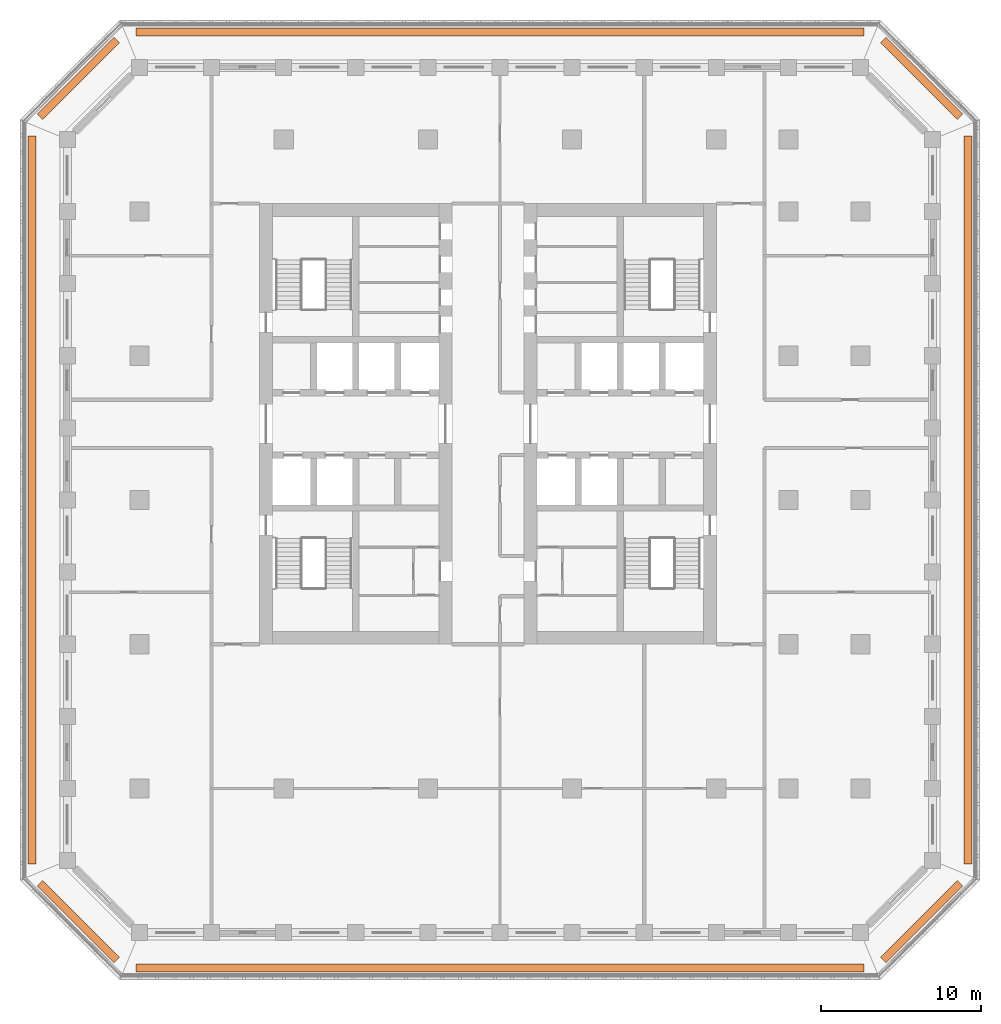
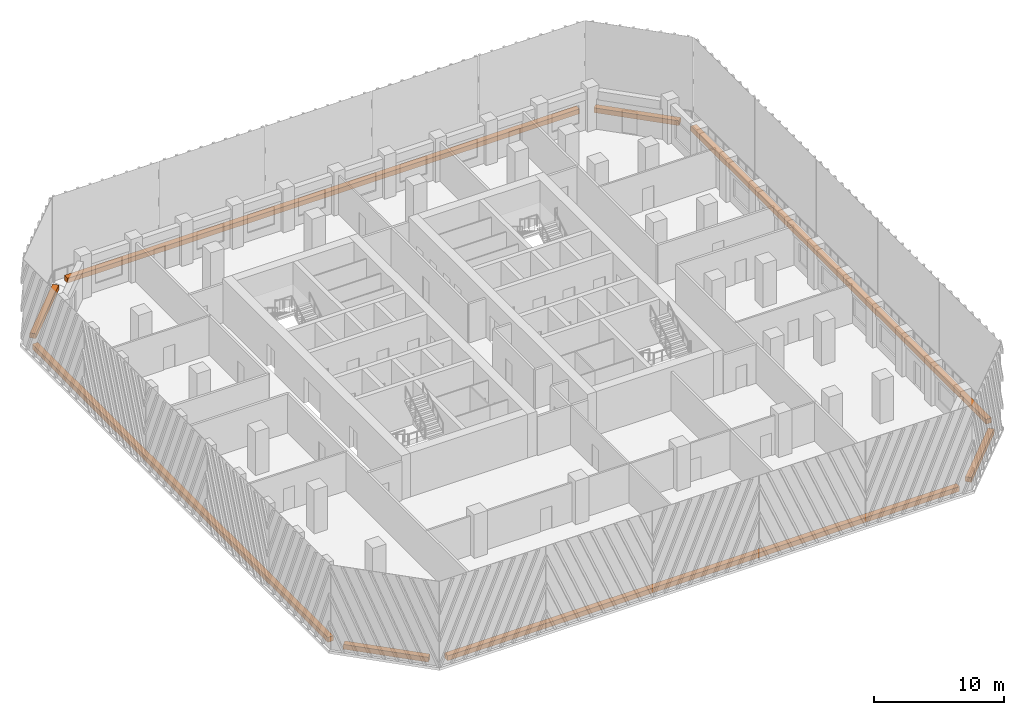
# One storey, part 16 of 16: 8 proxies.
"""IFC4 building model written with IfcOpenShell, lengths in metres."""

from ifc_helpers import new_model, si_unit, direction, frame, origin, origin_2d, place, context, subcontext, project, spatial, rectangle, extrude, material, type_object, element, save


model = new_model("IFC4")

# Units and contexts
model_context = context("Model", 3, precision=1e-05, world=origin(), true_north=direction((0.0, 1.0)))
body_context = subcontext(model_context, "Body", "Model", "MODEL_VIEW")
ifc_project = project(units=[si_unit("LENGTHUNIT", "METRE"), si_unit("AREAUNIT", "SQUARE_METRE"), si_unit("VOLUMEUNIT", "CUBIC_METRE"), si_unit("PLANEANGLEUNIT", "RADIAN"), si_unit("MASSUNIT", "GRAM", prefix="KILO")], contexts=[model_context])

# Site, building, storey
site_placement = place(None, origin())
site = spatial("IfcSite", under=ifc_project, at=site_placement, CompositionType="ELEMENT")
building_placement = place(site_placement, origin())
building = spatial("IfcBuilding", under=site, at=building_placement, Name="Corbel Stack Research Tower", CompositionType="ELEMENT")
storey_placement = place(building_placement, frame((0.0, 0.0, 199.699951171875)))
storey = spatial("IfcBuildingStorey", under=building, at=storey_placement, Name="L45", CompositionType="ELEMENT", Elevation=199.699951171875)

# Proxies
ifc_material = material(Name="Concrete C45/55", Category="concrete")
building_element_proxy_type = type_object("IfcBuildingElementProxyType", Name="Planter box", PredefinedType="USERDEFINED", material=ifc_material)
proxy_1_placement = place(storey_placement, frame((4.5, -29.199951171875, 0.0), z_axis=(0.0, 0.0, 1.0), x_axis=(1.0, 0.0, 0.0)))
element("IfcBuildingElementProxy", 1, at=proxy_1_placement, inside=storey, type_object=building_element_proxy_type, Name="Planter L45 S", ObjectType="PLANTER", PredefinedType="USERDEFINED", context=body_context, shape_type="SweptSolid", body=[
    extrude(rectangle(XDim=45.41064453125, YDim=0.5, at=origin_2d()), origin(), (0.0, 0.0, 1.0), 0.449951171875),
])
proxy_2_placement = place(storey_placement, frame((30.8056640625, -26.3056640625, 0.0), z_axis=(0.0, 0.0, 1.0), x_axis=(0.707106781187, 0.707106781187, 0.0)))
element("IfcBuildingElementProxy", 2, at=proxy_2_placement, inside=storey, type_object=building_element_proxy_type, Name="Planter L45 SE", ObjectType="PLANTER", PredefinedType="USERDEFINED", context=body_context, shape_type="SweptSolid", body=[
    extrude(rectangle(XDim=6.774658203125, YDim=0.5, at=origin_2d()), origin(), (0.0, 0.0, 1.0), 0.449951171875),
])
proxy_3_placement = place(storey_placement, frame((33.699951171875, 0.0, 0.0), z_axis=(0.0, 0.0, 1.0), x_axis=(0.0, 1.0, 0.0)))
element("IfcBuildingElementProxy", 3, at=proxy_3_placement, inside=storey, type_object=building_element_proxy_type, Name="Planter L45 E", ObjectType="PLANTER", PredefinedType="USERDEFINED", context=body_context, shape_type="SweptSolid", body=[
    extrude(rectangle(XDim=45.41064453125, YDim=0.5, at=origin_2d()), origin(), (0.0, 0.0, 1.0), 0.449951171875),
])
proxy_4_placement = place(storey_placement, frame((30.8056640625, 26.3056640625, 0.0), z_axis=(0.0, 0.0, 1.0), x_axis=(-0.707106781187, 0.707106781187, 0.0)))
element("IfcBuildingElementProxy", 4, at=proxy_4_placement, inside=storey, type_object=building_element_proxy_type, Name="Planter L45 NE", ObjectType="PLANTER", PredefinedType="USERDEFINED", context=body_context, shape_type="SweptSolid", body=[
    extrude(rectangle(XDim=6.774658203125, YDim=0.5, at=origin_2d()), origin(), (0.0, 0.0, 1.0), 0.449951171875),
])
proxy_5_placement = place(storey_placement, frame((4.5, 29.199951171875, 0.0), z_axis=(0.0, 0.0, 1.0), x_axis=(-1.0, 0.0, 0.0)))
element("IfcBuildingElementProxy", 5, at=proxy_5_placement, inside=storey, type_object=building_element_proxy_type, Name="Planter L45 N", ObjectType="PLANTER", PredefinedType="USERDEFINED", context=body_context, shape_type="SweptSolid", body=[
    extrude(rectangle(XDim=45.41064453125, YDim=0.5, at=origin_2d()), origin(), (0.0, 0.0, 1.0), 0.449951171875),
])
proxy_6_placement = place(storey_placement, frame((-21.8056640625, 26.3056640625, 0.0), z_axis=(0.0, 0.0, 1.0), x_axis=(-0.707106781187, -0.707106781187, 0.0)))
element("IfcBuildingElementProxy", 6, at=proxy_6_placement, inside=storey, type_object=building_element_proxy_type, Name="Planter L45 NW", ObjectType="PLANTER", PredefinedType="USERDEFINED", context=body_context, shape_type="SweptSolid", body=[
    extrude(rectangle(XDim=6.774658203125, YDim=0.5, at=origin_2d()), origin(), (0.0, 0.0, 1.0), 0.449951171875),
])
proxy_7_placement = place(storey_placement, frame((-24.699951171875, 0.0, 0.0), z_axis=(0.0, 0.0, 1.0), x_axis=(0.0, -1.0, 0.0)))
element("IfcBuildingElementProxy", 7, at=proxy_7_placement, inside=storey, type_object=building_element_proxy_type, Name="Planter L45 W", ObjectType="PLANTER", PredefinedType="USERDEFINED", context=body_context, shape_type="SweptSolid", body=[
    extrude(rectangle(XDim=45.41064453125, YDim=0.5, at=origin_2d()), origin(), (0.0, 0.0, 1.0), 0.449951171875),
])
proxy_8_placement = place(storey_placement, frame((-21.8056640625, -26.3056640625, 0.0), z_axis=(0.0, 0.0, 1.0), x_axis=(0.707106781187, -0.707106781187, 0.0)))
element("IfcBuildingElementProxy", 8, at=proxy_8_placement, inside=storey, type_object=building_element_proxy_type, Name="Planter L45 SW", ObjectType="PLANTER", PredefinedType="USERDEFINED", context=body_context, shape_type="SweptSolid", body=[
    extrude(rectangle(XDim=6.774658203125, YDim=0.5, at=origin_2d()), origin(), (0.0, 0.0, 1.0), 0.449951171875),
])

save(model, "model.ifc")
